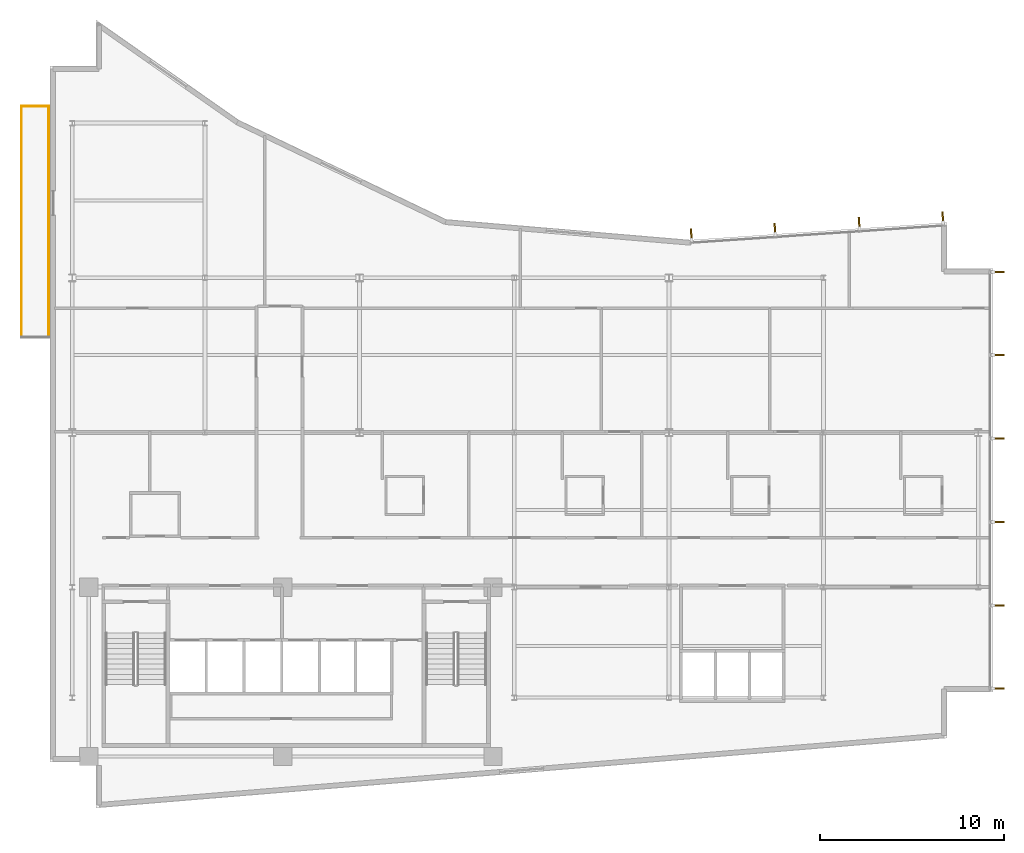
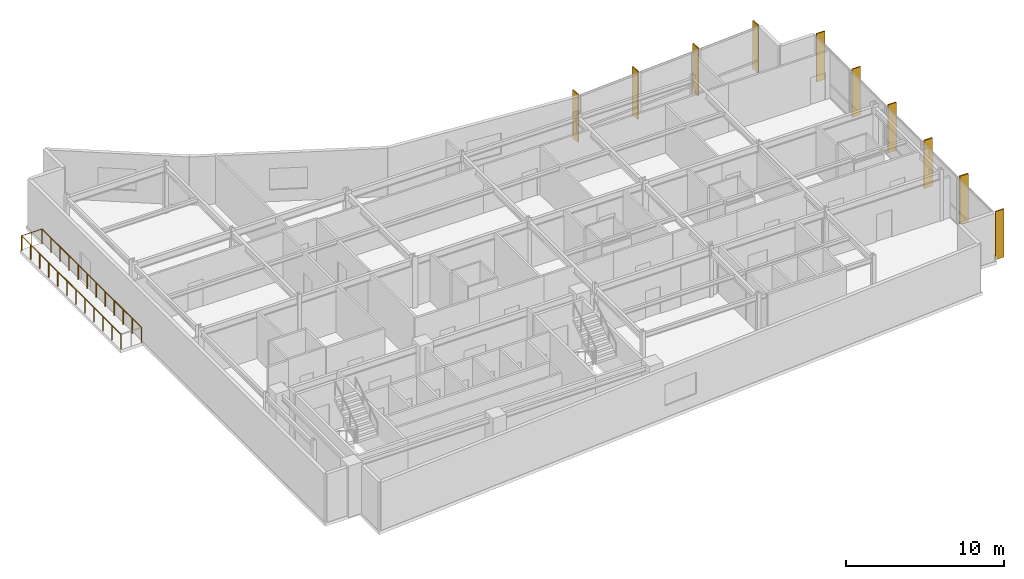
# One storey, part 16 of 17: 10 shading devices, 3 railings.
"""IFC4 building model written with IfcOpenShell, lengths in metres."""

import ifcopenshell
import ifcopenshell.guid

model = None  # the IFC model being written
_history = None  # IfcOwnerHistory: only IFC2X3 demands one
_inside = {}  # id of a spatial element -> (the spatial element, [elements in it])
_under = {}  # id of a project, library or spatial element -> (it, [spatial elements below it])
_declared = {}  # id of a project -> (the project, [libraries it declares])
_typed = {}  # id of a type object -> (the type object, [elements of that type])
_made_of = {}  # id of a material, layer set ... -> (it, [elements and type objects made of it])


def new_model(schema):
    """Start an empty IFC model of exactly this schema.

    Asked for "IFC4X3", IfcOpenShell would pick the latest addendum, in which some entities
    have other attributes; the version numbers below select the first issue.
    IFC2X3 requires an IfcOwnerHistory on every rooted entity: one is made here for all.
    """
    global model, _history
    if schema == "IFC4X3":
        model = ifcopenshell.file(schema_version=(4, 3, 0, 0))
    else:
        model = ifcopenshell.file(schema=schema)
    _inside.clear()
    _under.clear()
    _declared.clear()
    _typed.clear()
    _made_of.clear()
    _history = None
    if model.schema == "IFC2X3":
        org = make("IfcOrganization", Name="unknown")
        user = make(
            "IfcPersonAndOrganization",
            ThePerson=make("IfcPerson", FamilyName="unknown"),
            TheOrganization=org,
        )
        app = make(
            "IfcApplication",
            ApplicationDeveloper=org,
            Version="unknown",
            ApplicationFullName="unknown",
            ApplicationIdentifier="unknown",
        )
        _history = make(
            "IfcOwnerHistory",
            OwningUser=user,
            OwningApplication=app,
            ChangeAction="ADDED",
            CreationDate=0,
        )
    return model


def make(cls, **values):
    """One entity of the class cls with the attributes given. An attribute that is None is left unset."""
    return model.create_entity(
        cls, **{name: value for name, value in values.items() if value is not None}
    )


def rooted(cls, **values):
    """An entity with a GlobalId (a new one), such as an element, a storey or a relation."""
    return make(cls, GlobalId=ifcopenshell.guid.new(), OwnerHistory=_history, **values)


def si_unit(unit_type, name, prefix=None):
    """IfcSIUnit, for example si_unit("LENGTHUNIT", "METRE", prefix="MILLI")."""
    return make("IfcSIUnit", UnitType=unit_type, Prefix=prefix, Name=name)


def assignment(units):
    """IfcUnitAssignment: the units of a project."""
    return None if units is None else make("IfcUnitAssignment", Units=units)


def point(xyz):
    """IfcCartesianPoint."""
    return None if xyz is None else make("IfcCartesianPoint", Coordinates=xyz)


def direction(xyz):
    """IfcDirection."""
    return None if xyz is None else make("IfcDirection", DirectionRatios=xyz)


def frame(location, z_axis=None, x_axis=None):
    """IfcAxis2Placement3D, a coordinate frame: its origin and axes. An axis left out is left unset."""
    return make(
        "IfcAxis2Placement3D",
        Location=point(location),
        Axis=direction(z_axis),
        RefDirection=direction(x_axis),
    )


def frame_2d(location, x_axis=None):
    """IfcAxis2Placement2D, a coordinate frame in the plane: its origin and x axis."""
    return make(
        "IfcAxis2Placement2D", Location=point(location), RefDirection=direction(x_axis)
    )


def origin():
    """The frame at (0, 0, 0) with its axes left unset."""
    return frame((0.0, 0.0, 0.0))


def origin_2d():
    """The frame at (0, 0) in the plane with its x axis left unset."""
    return frame_2d((0.0, 0.0))


def place(relative_to, where):
    """IfcLocalPlacement: puts the frame where relative to a parent placement (None: the world)."""
    return make(
        "IfcLocalPlacement", PlacementRelTo=relative_to, RelativePlacement=where
    )


def context(
    kind, dimensions, precision=None, world=None, true_north=None, identifier=None
):
    """IfcGeometricRepresentationContext, for example the 3D "Model" context."""
    return make(
        "IfcGeometricRepresentationContext",
        ContextIdentifier=identifier,
        ContextType=kind,
        CoordinateSpaceDimension=dimensions,
        Precision=precision,
        WorldCoordinateSystem=world,
        TrueNorth=true_north,
    )


def subcontext(parent, identifier, kind, view, scale=None):
    """IfcGeometricRepresentationSubContext, for example "Body" below "Model"."""
    return make(
        "IfcGeometricRepresentationSubContext",
        ContextIdentifier=identifier,
        ContextType=kind,
        ParentContext=parent,
        TargetScale=scale,
        TargetView=view,
    )


def project(units=None, contexts=None):
    """IfcProject with its units and contexts."""
    return rooted(
        "IfcProject",
        Name="project",
        RepresentationContexts=contexts,
        UnitsInContext=assignment(units),
    )


def spatial(cls, under=None, at=None, **own):
    """A site, building, storey or space (cls), placed at a placement, below another one or the project."""
    s = rooted(cls, ObjectPlacement=at, **own)
    if under is not None:
        _under.setdefault(under.id(), (under, []))[1].append(s)
    return s


def profile(cls, at=None, kind="AREA", **sizes):
    """A parametric profile (cls). Its sizes go by their IFC names, for example OverallWidth=200.0."""
    return make(cls, ProfileType=kind, Position=at, **sizes)


def rectangle(**sizes):
    """IfcRectangleProfileDef."""
    return profile("IfcRectangleProfileDef", **sizes)


def circle(**sizes):
    """IfcCircleProfileDef."""
    return profile("IfcCircleProfileDef", **sizes)


def extrude(swept, where, along, depth):
    """IfcExtrudedAreaSolid: the profile swept, set in the frame where, extruded along a direction by depth."""
    return make(
        "IfcExtrudedAreaSolid",
        SweptArea=swept,
        Position=where,
        ExtrudedDirection=direction(along),
        Depth=depth,
    )


def shape(context_of_items, identifier, shape_type, items):
    """IfcShapeRepresentation: the items that make up one representation, for example the "Body"."""
    return make(
        "IfcShapeRepresentation",
        ContextOfItems=context_of_items,
        RepresentationIdentifier=identifier,
        RepresentationType=shape_type,
        Items=items,
    )


def material(Name=None, Category=None):
    """IfcMaterial."""
    return make("IfcMaterial", Name=Name, Category=Category)


def layer(
    of_material, thickness, ventilated=None, Name=None, Category=None, Priority=None
):
    """IfcMaterialLayer: one layer of a wall or slab, of a material (None: an air gap)."""
    return make(
        "IfcMaterialLayer",
        Material=of_material,
        LayerThickness=thickness,
        IsVentilated=ventilated,
        Name=Name,
        Category=Category,
        Priority=Priority,
    )


def layer_set(layers, Name=None):
    """IfcMaterialLayerSet."""
    return make("IfcMaterialLayerSet", MaterialLayers=layers, LayerSetName=Name)


def made_of(thing, what):
    """Note that an element or type object is made of a material, layer set ...; save() writes the relation."""
    if what is not None:
        _made_of.setdefault(what.id(), (what, []))[1].append(thing)
    return thing


def type_object(cls, material=None, **own):
    """A type object (cls), such as IfcWallType, which elements share."""
    return made_of(rooted(cls, **own), material)


def element(
    cls,
    number,
    at=None,
    inside=None,
    cuts=None,
    type_object=None,
    material=None,
    context=None,
    identifier="Body",
    shape_type=None,
    held_by="IfcProductDefinitionShape",
    body=None,
    shapes=None,
    **own,
):
    """One element of the class cls, such as IfcWall. Its Tag is "e" and its number.

    at: its placement. inside: the storey or other place that contains it. cuts: it is an
    opening in that element (IfcRelVoidsElement). A single representation is given by context,
    identifier, shape_type and body (its items); several are given by shapes. held_by: the class
    of the entity that holds the representations. save() writes the other relations.
    """
    e = rooted(cls, Tag="e%d" % number, ObjectPlacement=at, **own)
    if body is not None:
        shapes = [shape(context, identifier, shape_type, body)]
    if shapes is not None:
        e.Representation = make(held_by, Representations=shapes)
    if inside is not None:
        _inside.setdefault(inside.id(), (inside, []))[1].append(e)
    if cuts is not None:
        rooted(
            "IfcRelVoidsElement", RelatingBuildingElement=cuts, RelatedOpeningElement=e
        )
    if type_object is not None:
        _typed.setdefault(type_object.id(), (type_object, []))[1].append(e)
    return made_of(e, material)


def aggregate(whole, parts):
    """IfcRelAggregates: a whole, such as a stair, and the parts it consists of."""
    return rooted("IfcRelAggregates", RelatingObject=whole, RelatedObjects=parts)


def save(model, path):
    """Write the relations noted so far, then the file.

    IfcRelAggregates (storeys below a building ...), IfcRelContainedInSpatialStructure (elements
    in a storey), IfcRelDefinesByType, IfcRelAssociatesMaterial and IfcRelDeclares: one each for
    every whole, place, type object, material and project.
    """
    for whole, parts in _under.values():
        aggregate(whole, parts)
    for where, things in _inside.values():
        rooted(
            "IfcRelContainedInSpatialStructure",
            RelatedElements=things,
            RelatingStructure=where,
        )
    for kind, things in _typed.values():
        rooted("IfcRelDefinesByType", RelatedObjects=things, RelatingType=kind)
    for what, things in _made_of.values():
        rooted("IfcRelAssociatesMaterial", RelatedObjects=things, RelatingMaterial=what)
    for by, libraries in _declared.values():
        rooted("IfcRelDeclares", RelatingContext=by, RelatedDefinitions=libraries)
    model.write(path)


model = new_model("IFC4")

# Units and contexts
model_context = context("Model", 3, precision=1e-05, world=origin(), true_north=direction((0.0, 1.0)))
body_context = subcontext(model_context, "Body", "Model", "MODEL_VIEW")
ifc_project = project(units=[si_unit("LENGTHUNIT", "METRE"), si_unit("AREAUNIT", "SQUARE_METRE"), si_unit("VOLUMEUNIT", "CUBIC_METRE"), si_unit("PLANEANGLEUNIT", "RADIAN"), si_unit("MASSUNIT", "GRAM", prefix="KILO")], contexts=[model_context])

# Site, building, storey
site_placement = place(None, origin())
site = spatial("IfcSite", under=ifc_project, at=site_placement, CompositionType="ELEMENT")
building_placement = place(site_placement, origin())
building = spatial("IfcBuilding", under=site, at=building_placement, Name="Varnakote Quay Hospital", CompositionType="ELEMENT")
storey_placement = place(building_placement, frame((0.0, 0.0, 184.199951171875)))
storey = spatial("IfcBuildingStorey", under=building, at=storey_placement, Name="L45", CompositionType="ELEMENT", Elevation=184.199951171875)

# Railings
ifc_material_1 = material(Name="Anodised aluminium 6063-T6 Bronze", Category="aluminium")
railing_type = type_object("IfcRailingType", Name="RLG-EXT-GUARD-1150", PredefinedType="GUARDRAIL", material=ifc_material_1)
railing_1_placement = place(storey_placement, frame((-1.56005859375, 25.580078125, 0.0)))
element("IfcRailing", 1, at=railing_1_placement, inside=storey, type_object=railing_type, Name="L45 Zigzag Prow Healing Terrace Safety Guard", PredefinedType="GUARDRAIL", context=body_context, shape_type="SweptSolid", body=[
    extrude(circle(Radius=0.02392578125, at=origin_2d()), frame((0.0, 0.0, 1.1259765625), z_axis=(0.0, 1.0, 0.0), x_axis=(-1.0, 0.0, 0.0)), (0.0, 0.0, 1.0), 12.5400390625),
    extrude(circle(Radius=0.02099609375, at=origin_2d()), origin(), (0.0, 0.0, 1.0), 1.101806640625),
    extrude(circle(Radius=0.02099609375, at=origin_2d()), frame((0.0, 1.139892578125, 0.0)), (0.0, 0.0, 1.0), 1.101806640625),
    extrude(circle(Radius=0.02099609375, at=origin_2d()), frame((0.0, 2.280029296875, 0.0)), (0.0, 0.0, 1.0), 1.101806640625),
    extrude(circle(Radius=0.02099609375, at=origin_2d()), frame((0.0, 3.419921875, 0.0)), (0.0, 0.0, 1.0), 1.101806640625),
    extrude(circle(Radius=0.02099609375, at=origin_2d()), frame((0.0, 4.56005859375, 0.0)), (0.0, 0.0, 1.0), 1.101806640625),
    extrude(circle(Radius=0.02099609375, at=origin_2d()), frame((0.0, 5.699951171875, 0.0)), (0.0, 0.0, 1.0), 1.101806640625),
    extrude(circle(Radius=0.02099609375, at=origin_2d()), frame((0.0, 6.840087890625, 0.0)), (0.0, 0.0, 1.0), 1.101806640625),
    extrude(circle(Radius=0.02099609375, at=origin_2d()), frame((0.0, 7.97998046875, 0.0)), (0.0, 0.0, 1.0), 1.101806640625),
    extrude(circle(Radius=0.02099609375, at=origin_2d()), frame((0.0, 9.1201171875, 0.0)), (0.0, 0.0, 1.0), 1.101806640625),
    extrude(circle(Radius=0.02099609375, at=origin_2d()), frame((0.0, 10.260009765625, 0.0)), (0.0, 0.0, 1.0), 1.101806640625),
    extrude(circle(Radius=0.02099609375, at=origin_2d()), frame((0.0, 11.400146484375, 0.0)), (0.0, 0.0, 1.0), 1.101806640625),
    extrude(circle(Radius=0.02099609375, at=origin_2d()), frame((0.0, 12.5400390625, 0.0)), (0.0, 0.0, 1.0), 1.101806640625),
])
railing_2_placement = place(storey_placement, frame((-1.56005859375, 38.1201171875, 0.0)))
element("IfcRailing", 2, at=railing_2_placement, inside=storey, type_object=railing_type, Name="L45 Zigzag Prow Healing Terrace Safety Guard", PredefinedType="GUARDRAIL", context=body_context, shape_type="SweptSolid", body=[
    extrude(circle(Radius=0.02392578125, at=origin_2d()), frame((0.0, 0.0, 1.1259765625), z_axis=(1.0, 0.0, 0.0), x_axis=(0.0, 1.0, 0.0)), (0.0, 0.0, 1.0), 1.484130859375),
    extrude(circle(Radius=0.02099609375, at=origin_2d()), origin(), (0.0, 0.0, 1.0), 1.101806640625),
    extrude(circle(Radius=0.02099609375, at=origin_2d()), frame((0.7421875, 0.0, 0.0)), (0.0, 0.0, 1.0), 1.101806640625),
    extrude(circle(Radius=0.02099609375, at=origin_2d()), frame((1.484130859375, 0.0, 0.0)), (0.0, 0.0, 1.0), 1.101806640625),
])
railing_3_placement = place(storey_placement, frame((-0.075927734375, 38.1201171875, 0.0)))
element("IfcRailing", 3, at=railing_3_placement, inside=storey, type_object=railing_type, Name="L45 Zigzag Prow Healing Terrace Safety Guard", PredefinedType="GUARDRAIL", context=body_context, shape_type="SweptSolid", body=[
    extrude(circle(Radius=0.02392578125, at=origin_2d()), frame((0.0, 0.0, 1.1259765625), z_axis=(0.0, -1.0, 0.0), x_axis=(1.0, 0.0, 0.0)), (0.0, 0.0, 1.0), 12.5400390625),
    extrude(circle(Radius=0.02099609375, at=origin_2d()), origin(), (0.0, 0.0, 1.0), 1.101806640625),
    extrude(circle(Radius=0.02099609375, at=origin_2d()), frame((0.0, -1.139892578125, 0.0)), (0.0, 0.0, 1.0), 1.101806640625),
    extrude(circle(Radius=0.02099609375, at=origin_2d()), frame((0.0, -2.280029296875, 0.0)), (0.0, 0.0, 1.0), 1.101806640625),
    extrude(circle(Radius=0.02099609375, at=origin_2d()), frame((0.0, -3.419921875, 0.0)), (0.0, 0.0, 1.0), 1.101806640625),
    extrude(circle(Radius=0.02099609375, at=origin_2d()), frame((0.0, -4.56005859375, 0.0)), (0.0, 0.0, 1.0), 1.101806640625),
    extrude(circle(Radius=0.02099609375, at=origin_2d()), frame((0.0, -5.699951171875, 0.0)), (0.0, 0.0, 1.0), 1.101806640625),
    extrude(circle(Radius=0.02099609375, at=origin_2d()), frame((0.0, -6.840087890625, 0.0)), (0.0, 0.0, 1.0), 1.101806640625),
    extrude(circle(Radius=0.02099609375, at=origin_2d()), frame((0.0, -7.97998046875, 0.0)), (0.0, 0.0, 1.0), 1.101806640625),
    extrude(circle(Radius=0.02099609375, at=origin_2d()), frame((0.0, -9.1201171875, 0.0)), (0.0, 0.0, 1.0), 1.101806640625),
    extrude(circle(Radius=0.02099609375, at=origin_2d()), frame((0.0, -10.260009765625, 0.0)), (0.0, 0.0, 1.0), 1.101806640625),
    extrude(circle(Radius=0.02099609375, at=origin_2d()), frame((0.0, -11.400146484375, 0.0)), (0.0, 0.0, 1.0), 1.101806640625),
    extrude(circle(Radius=0.02099609375, at=origin_2d()), frame((0.0, -12.5400390625, 0.0)), (0.0, 0.0, 1.0), 1.101806640625),
])

# Shading devices
ifc_material_2 = material(Name="Anodised aluminium 6063-T6 Bronze", Category="aluminium")
ifc_layer = layer(ifc_material_2, 0.0849609375)
ifc_layer_set = layer_set([ifc_layer], Name="Anodised aluminium 6063-T6 Bronze")
shading_device_type = type_object("IfcShadingDeviceType", Name="SHD-BRONZE-FIN-620", PredefinedType="USERDEFINED", material=ifc_layer_set)
for number, where, z_axis, x_axis, name in (
    (4, (51.489990234375, 6.492431640625, 0.0), (0.0, 0.0, 1.0), (-1.0, 0.0, 0.0), "L45 Anodised Bronze Vertical Shading FIN"),
    (5, (51.489990234375, 10.99609375, 0.0), (0.0, 0.0, 1.0), (-1.0, 0.0, 0.0), "L45 Anodised Bronze Vertical Shading FIN"),
    (6, (51.489990234375, 15.531982421875, 0.0), (0.0, 0.0, 1.0), (-1.0, 0.0, 0.0), "L45 Anodised Bronze Vertical Shading FIN"),
    (7, (51.489990234375, 20.068115234375, 0.0), (0.0, 0.0, 1.0), (-1.0, 0.0, 0.0), "L45 Anodised Bronze Vertical Shading FIN"),
    (8, (51.489990234375, 24.60400390625, 0.0), (0.0, 0.0, 1.0), (-1.0, 0.0, 0.0), "L45 Anodised Bronze Vertical Shading FIN"),
    (9, (51.489990234375, 29.107421875, 0.0), (0.0, 0.0, 1.0), (-1.0, 0.0, 0.0), "L45 Anodised Bronze Vertical Shading FIN"),
    (10, (48.47705078125, 32.07568359375, 0.0), (0.0, 0.0, 1.0), (0.067841160875, -0.997696134548, 0.0), "L45 Anodised Bronze Vertical Shading FIN"),
    (11, (43.934326171875, 31.7666015625, 0.0), (0.0, 0.0, 1.0), (0.067841160875, -0.997696134548, 0.0), "L45 Anodised Bronze Vertical Shading FIN"),
    (12, (39.359375, 31.45556640625, 0.0), (0.0, 0.0, 1.0), (0.067841160875, -0.997696134548, 0.0), "L45 Anodised Bronze Vertical Shading FIN"),
    (13, (34.816650390625, 31.146728515625, 0.0), (0.0, 0.0, 1.0), (0.067841160875, -0.997696134548, 0.0), "L45 Anodised Bronze Vertical Shading FIN"),
):
    element("IfcShadingDevice", number, at=place(storey_placement, frame(where, z_axis=z_axis, x_axis=x_axis)), inside=storey, type_object=shading_device_type, Name=name, ObjectType="FIN", PredefinedType="USERDEFINED", context=body_context, shape_type="SweptSolid", body=[
        extrude(rectangle(XDim=0.6201171875, YDim=0.0849609375, at=origin_2d()), origin(), (0.0, 0.0, 1.0), 3.7099609375),
    ])

save(model, "model.ifc")
